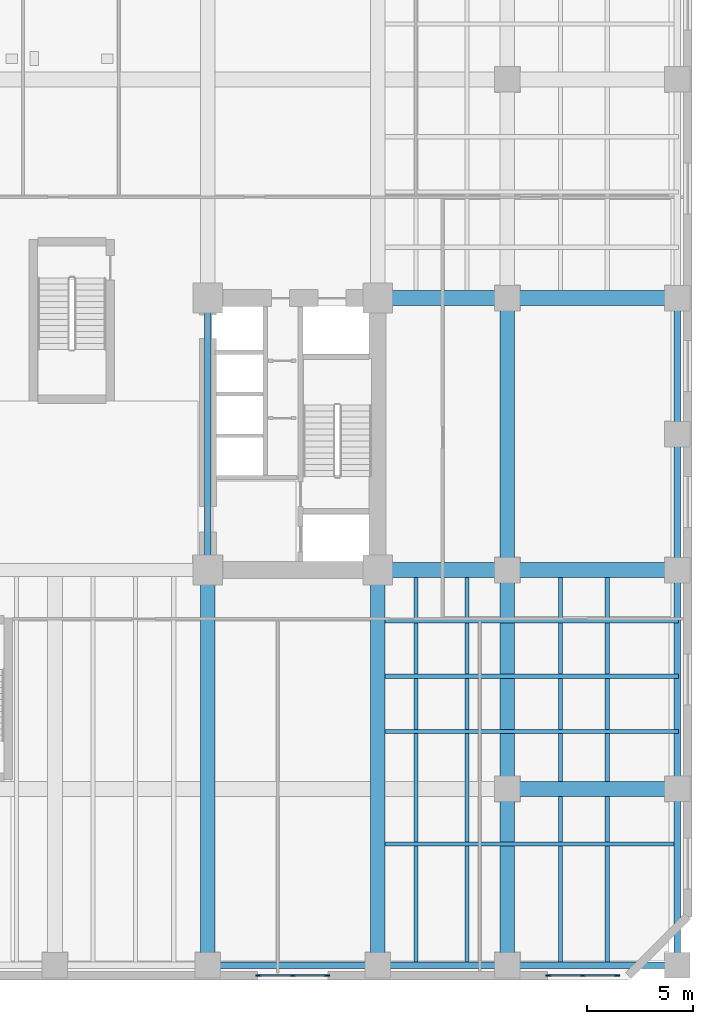
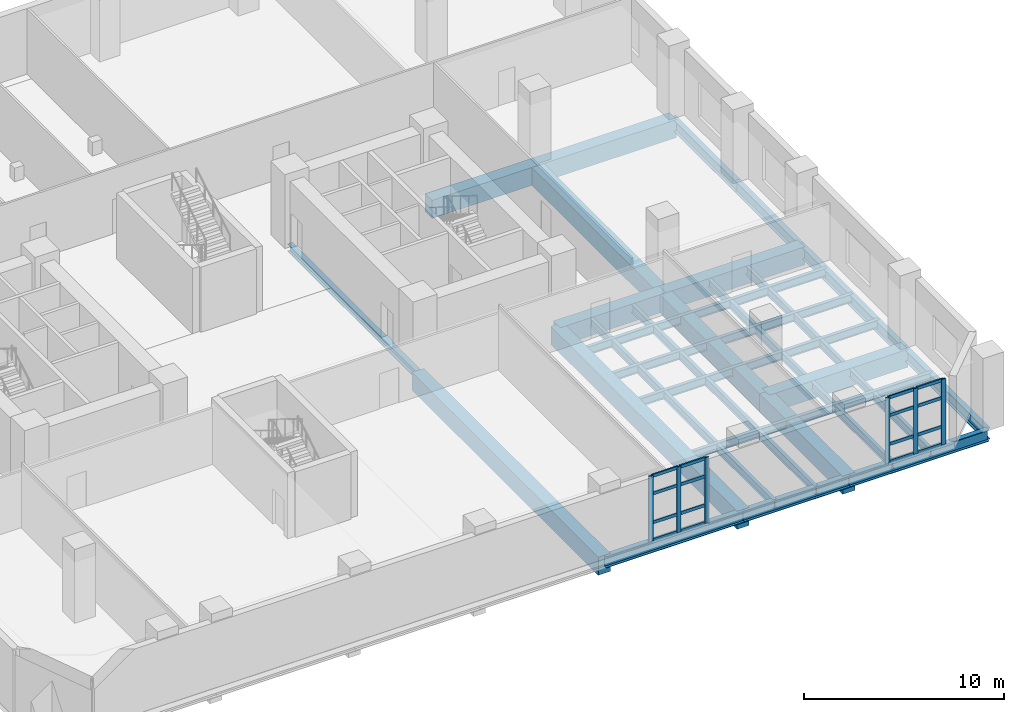
# One storey, part 2 of 15: 26 beams, 22 members, 2 elements without a shape of their own.
"""IFC4 building model written with IfcOpenShell, lengths in metres."""

from ifc_helpers import new_model, si_unit, direction, frame, origin, origin_2d, place, context, subcontext, project, spatial, rectangle, i_section, extrude, material, layer, layer_set, material_profile, profile_set, type_object, element, aggregate, save


model = new_model("IFC4")

# Units and contexts
model_context = context("Model", 3, precision=1e-05, world=origin(), true_north=direction((0.0, 1.0)))
body_context = subcontext(model_context, "Body", "Model", "MODEL_VIEW")
ifc_project = project(units=[si_unit("LENGTHUNIT", "METRE"), si_unit("AREAUNIT", "SQUARE_METRE"), si_unit("VOLUMEUNIT", "CUBIC_METRE"), si_unit("PLANEANGLEUNIT", "RADIAN"), si_unit("MASSUNIT", "GRAM", prefix="KILO")], contexts=[model_context])

# Site, building, storey
site_placement = place(None, origin())
site = spatial("IfcSite", under=ifc_project, at=site_placement, CompositionType="ELEMENT")
building_placement = place(site_placement, origin())
building = spatial("IfcBuilding", under=site, at=building_placement, Name="Kranthara Brick Stack", CompositionType="ELEMENT")
storey_placement = place(building_placement, frame((0.0, 0.0, 14.39990234375)))
storey = spatial("IfcBuildingStorey", under=building, at=storey_placement, Name="L03", CompositionType="ELEMENT", Elevation=14.39990234375)

# Beams
ifc_material_1 = material(Name="Steel S355", Category="steel")
ifc_material_profile_1 = material_profile(ifc_material_1, i_section(OverallWidth=0.199951171875, OverallDepth=0.5, WebThickness=0.01025390625, FlangeThickness=0.01611328125, at=origin_2d()), Name="IPE 500")
ifc_profile_set_1 = profile_set([ifc_material_profile_1], Name="Steel S355")
beam_type_1 = type_object("IfcBeamType", Name="BM-JST-IPE500", PredefinedType="JOIST", material=ifc_profile_set_1)
for number, where, z_axis, x_axis, name in (
    (1, (45.0, 2.14990234375, -0.56982421875), (0.0, 1.0, 0.0), (-1.0, 0.0, 0.0), "L03 South Wing Floor Joist 075"),
    (2, (47.39990234375, 2.14990234375, -0.56982421875), (0.0, 1.0, 0.0), (-1.0, 0.0, 0.0), "L03 South Wing Floor Joist 077"),
    (3, (51.800048828125, 2.14990234375, -0.56982421875), (0.0, 1.0, 0.0), (-1.0, 0.0, 0.0), "L03 South Wing Floor Joist 079"),
    (4, (54.0, 2.14990234375, -0.56982421875), (0.0, 1.0, 0.0), (-1.0, 0.0, 0.0), "L03 South Wing Floor Joist 081"),
):
    element("IfcBeam", number, at=place(storey_placement, frame(where, z_axis=z_axis, x_axis=x_axis)), inside=storey, type_object=beam_type_1, Name=name, PredefinedType="JOIST", context=body_context, shape_type="SweptSolid", body=[
        extrude(i_section(OverallWidth=0.199951171875, OverallDepth=0.5, WebThickness=0.01025390625, FlangeThickness=0.01611328125, at=origin_2d()), origin(), (0.0, 0.0, 1.0), 18.300048828125),
    ])
for number, where, z_axis, x_axis, name in (
    (5, (43.550048828125, 7.89990234375, -0.56982421875), (1.0, 0.0, 0.0), (0.0, 1.0, 0.0), "L03 East Wing Floor Joist 084"),
    (6, (43.550048828125, 13.199951171875, -0.56982421875), (1.0, 0.0, 0.0), (0.0, 1.0, 0.0), "L03 East Wing Floor Joist 086"),
    (7, (43.550048828125, 15.800048828125, -0.56982421875), (1.0, 0.0, 0.0), (0.0, 1.0, 0.0), "L03 East Wing Floor Joist 088"),
    (8, (43.550048828125, 18.39990234375, -0.56982421875), (1.0, 0.0, 0.0), (0.0, 1.0, 0.0), "L03 East Wing Floor Joist 090"),
):
    element("IfcBeam", number, at=place(storey_placement, frame(where, z_axis=z_axis, x_axis=x_axis)), inside=storey, type_object=beam_type_1, Name=name, PredefinedType="JOIST", context=body_context, shape_type="SweptSolid", body=[
        extrude(i_section(OverallWidth=0.199951171875, OverallDepth=0.5, WebThickness=0.01025390625, FlangeThickness=0.01611328125, at=origin_2d()), origin(), (0.0, 0.0, 1.0), 13.800048828125),
    ])
ifc_material_2 = material(Name="Post-tensioned concrete C45/55", Category="concrete")
ifc_material_profile_2 = material_profile(ifc_material_2, rectangle(XDim=0.699951171875, YDim=1.10009765625, at=origin_2d()), Name="PT 700x1100")
ifc_profile_set_2 = profile_set([ifc_material_profile_2], Name="Post-tensioned concrete C45/55")
beam_type_2 = type_object("IfcBeamType", Name="BM-POD-PT1100", PredefinedType="BEAM", material=ifc_profile_set_2)
for number, where, z_axis, x_axis, name in (
    (9, (35.199951171875, 2.199951171875, -0.869873046875), (0.0, 1.0, 0.0), (-1.0, 0.0, 0.0), "L03 Primary Grid Girder 042"),
    (10, (43.199951171875, 2.199951171875, -0.869873046875), (0.0, 1.0, 0.0), (-1.0, 0.0, 0.0), "L03 Primary Grid Girder 044"),
):
    element("IfcBeam", number, at=place(storey_placement, frame(where, z_axis=z_axis, x_axis=x_axis)), inside=storey, type_object=beam_type_2, Name=name, PredefinedType="BEAM", context=body_context, shape_type="SweptSolid", body=[
        extrude(rectangle(XDim=0.699951171875, YDim=1.10009765625, at=origin_2d()), origin(), (0.0, 0.0, 1.0), 18.60009765625),
    ])
beam_1_placement = place(storey_placement, frame((49.300048828125, 2.199951171875, -0.869873046875), z_axis=(0.0, 1.0, 0.0), x_axis=(-1.0, 0.0, 0.0)))
element("IfcBeam", 11, at=beam_1_placement, inside=storey, type_object=beam_type_2, Name="L03 Primary Grid Girder 046", PredefinedType="BEAM", context=body_context, shape_type="SweptSolid", body=[
    extrude(rectangle(XDim=0.699951171875, YDim=1.10009765625, at=origin_2d()), origin(), (0.0, 0.0, 1.0), 8.300048828125),
])
beam_2_placement = place(storey_placement, frame((49.300048828125, 10.5, -0.869873046875), z_axis=(0.0, 1.0, 0.0), x_axis=(-1.0, 0.0, 0.0)))
element("IfcBeam", 12, at=beam_2_placement, inside=storey, type_object=beam_type_2, Name="L03 Primary Grid Girder 047", PredefinedType="BEAM", context=body_context, shape_type="SweptSolid", body=[
    extrude(rectangle(XDim=0.699951171875, YDim=1.10009765625, at=origin_2d()), origin(), (0.0, 0.0, 1.0), 10.300048828125),
])
beam_3_placement = place(storey_placement, frame((49.300048828125, 20.800048828125, -0.869873046875), z_axis=(0.0, 1.0, 0.0), x_axis=(-1.0, 0.0, 0.0)))
element("IfcBeam", 13, at=beam_3_placement, inside=storey, type_object=beam_type_2, Name="L03 Primary Grid Girder 048", PredefinedType="BEAM", context=body_context, shape_type="SweptSolid", body=[
    extrude(rectangle(XDim=0.699951171875, YDim=1.10009765625, at=origin_2d()), origin(), (0.0, 0.0, 1.0), 12.800048828125),
])
beam_4_placement = place(storey_placement, frame((49.300048828125, 10.5, -0.869873046875), z_axis=(1.0, 0.0, 0.0), x_axis=(0.0, 1.0, 0.0)))
element("IfcBeam", 14, at=beam_4_placement, inside=storey, type_object=beam_type_2, Name="L03 Primary Grid Girder 053", PredefinedType="BEAM", context=body_context, shape_type="SweptSolid", body=[
    extrude(rectangle(XDim=0.699951171875, YDim=1.10009765625, at=origin_2d()), origin(), (0.0, 0.0, 1.0), 8.0),
])
beam_5_placement = place(storey_placement, frame((43.199951171875, 20.800048828125, -0.869873046875), z_axis=(1.0, 0.0, 0.0), x_axis=(0.0, 1.0, 0.0)))
element("IfcBeam", 15, at=beam_5_placement, inside=storey, type_object=beam_type_2, Name="L03 Primary Grid Girder 056", PredefinedType="BEAM", context=body_context, shape_type="SweptSolid", body=[
    extrude(rectangle(XDim=0.699951171875, YDim=1.10009765625, at=origin_2d()), origin(), (0.0, 0.0, 1.0), 6.10009765625),
])
beam_6_placement = place(storey_placement, frame((49.300048828125, 20.800048828125, -0.869873046875), z_axis=(1.0, 0.0, 0.0), x_axis=(0.0, 1.0, 0.0)))
element("IfcBeam", 16, at=beam_6_placement, inside=storey, type_object=beam_type_2, Name="L03 Primary Grid Girder 057", PredefinedType="BEAM", context=body_context, shape_type="SweptSolid", body=[
    extrude(rectangle(XDim=0.699951171875, YDim=1.10009765625, at=origin_2d()), origin(), (0.0, 0.0, 1.0), 8.0),
])
beam_7_placement = place(storey_placement, frame((43.199951171875, 33.60009765625, -0.869873046875), z_axis=(1.0, 0.0, 0.0), x_axis=(0.0, 1.0, 0.0)))
element("IfcBeam", 17, at=beam_7_placement, inside=storey, type_object=beam_type_2, Name="L03 Primary Grid Girder 060", PredefinedType="BEAM", context=body_context, shape_type="SweptSolid", body=[
    extrude(rectangle(XDim=0.699951171875, YDim=1.10009765625, at=origin_2d()), origin(), (0.0, 0.0, 1.0), 6.10009765625),
])
beam_8_placement = place(storey_placement, frame((49.300048828125, 33.60009765625, -0.869873046875), z_axis=(1.0, 0.0, 0.0), x_axis=(0.0, 1.0, 0.0)))
element("IfcBeam", 18, at=beam_8_placement, inside=storey, type_object=beam_type_2, Name="L03 Primary Grid Girder 061", PredefinedType="BEAM", context=body_context, shape_type="SweptSolid", body=[
    extrude(rectangle(XDim=0.699951171875, YDim=1.10009765625, at=origin_2d()), origin(), (0.0, 0.0, 1.0), 8.0),
])
ifc_material_3 = material(Name="Steel S355", Category="steel")
ifc_material_profile_3 = material_profile(ifc_material_3, i_section(OverallWidth=0.300048828125, OverallDepth=0.449951171875, WebThickness=0.013916015625, FlangeThickness=0.02587890625, at=origin_2d()), Name="HEB 450")
ifc_profile_set_3 = profile_set([ifc_material_profile_3], Name="Steel S355")
beam_type_3 = type_object("IfcBeamType", Name="BM-STL-HEB450", PredefinedType="SPANDREL", material=ifc_profile_set_3)
beam_9_placement = place(storey_placement, frame((35.199951171875, 20.800048828125, -0.544921875), z_axis=(0.0, 1.0, 0.0), x_axis=(-1.0, 0.0, 0.0)))
element("IfcBeam", 19, at=beam_9_placement, inside=storey, type_object=beam_type_3, Name="L03 Core Edge Tie Beam 003", PredefinedType="SPANDREL", context=body_context, shape_type="SweptSolid", body=[
    extrude(i_section(OverallWidth=0.300048828125, OverallDepth=0.449951171875, WebThickness=0.013916015625, FlangeThickness=0.02587890625, at=origin_2d()), origin(), (0.0, 0.0, 1.0), 12.800048828125),
])
ifc_material_4 = material(Name="Steel S355", Category="steel")
ifc_material_profile_4 = material_profile(ifc_material_4, i_section(OverallWidth=0.300048828125, OverallDepth=0.699951171875, WebThickness=0.01708984375, FlangeThickness=0.031982421875, at=origin_2d()), Name="HEB 700")
ifc_profile_set_4 = profile_set([ifc_material_profile_4], Name="Steel S355")
beam_type_4 = type_object("IfcBeamType", Name="BM-STL-HEB700", PredefinedType="BEAM", material=ifc_profile_set_4)
beam_10_placement = place(storey_placement, frame((35.199951171875, 2.199951171875, -0.669921875), z_axis=(1.0, 0.0, 0.0), x_axis=(0.0, 1.0, 0.0)))
element("IfcBeam", 20, at=beam_10_placement, inside=storey, type_object=beam_type_4, Name="L03 Perimeter Spandrel Beam 009", PredefinedType="BEAM", context=body_context, shape_type="SweptSolid", body=[
    extrude(i_section(OverallWidth=0.300048828125, OverallDepth=0.699951171875, WebThickness=0.01708984375, FlangeThickness=0.031982421875, at=origin_2d()), origin(), (0.0, 0.0, 1.0), 8.0),
])
beam_11_placement = place(storey_placement, frame((43.199951171875, 2.199951171875, -0.669921875), z_axis=(1.0, 0.0, 0.0), x_axis=(0.0, 1.0, 0.0)))
element("IfcBeam", 21, at=beam_11_placement, inside=storey, type_object=beam_type_4, Name="L03 Perimeter Spandrel Beam 010", PredefinedType="BEAM", context=body_context, shape_type="SweptSolid", body=[
    extrude(i_section(OverallWidth=0.300048828125, OverallDepth=0.699951171875, WebThickness=0.01708984375, FlangeThickness=0.031982421875, at=origin_2d()), origin(), (0.0, 0.0, 1.0), 6.10009765625),
])
beam_12_placement = place(storey_placement, frame((49.300048828125, 2.199951171875, -0.669921875), z_axis=(1.0, 0.0, 0.0), x_axis=(0.0, 1.0, 0.0)))
element("IfcBeam", 22, at=beam_12_placement, inside=storey, type_object=beam_type_4, Name="L03 Perimeter Spandrel Beam 011", PredefinedType="BEAM", context=body_context, shape_type="SweptSolid", body=[
    extrude(i_section(OverallWidth=0.300048828125, OverallDepth=0.699951171875, WebThickness=0.01708984375, FlangeThickness=0.031982421875, at=origin_2d()), origin(), (0.0, 0.0, 1.0), 8.0),
])
beam_13_placement = place(storey_placement, frame((57.300048828125, 2.199951171875, -0.669921875), z_axis=(0.0, 1.0, 0.0), x_axis=(-1.0, 0.0, 0.0)))
element("IfcBeam", 23, at=beam_13_placement, inside=storey, type_object=beam_type_4, Name="L03 Perimeter Spandrel Beam 026", PredefinedType="BEAM", context=body_context, shape_type="SweptSolid", body=[
    extrude(i_section(OverallWidth=0.300048828125, OverallDepth=0.699951171875, WebThickness=0.01708984375, FlangeThickness=0.031982421875, at=origin_2d()), origin(), (0.0, 0.0, 1.0), 8.300048828125),
])
beam_14_placement = place(storey_placement, frame((57.300048828125, 10.5, -0.669921875), z_axis=(0.0, 1.0, 0.0), x_axis=(-1.0, 0.0, 0.0)))
element("IfcBeam", 24, at=beam_14_placement, inside=storey, type_object=beam_type_4, Name="L03 Perimeter Spandrel Beam 027", PredefinedType="BEAM", context=body_context, shape_type="SweptSolid", body=[
    extrude(i_section(OverallWidth=0.300048828125, OverallDepth=0.699951171875, WebThickness=0.01708984375, FlangeThickness=0.031982421875, at=origin_2d()), origin(), (0.0, 0.0, 1.0), 10.300048828125),
])
beam_15_placement = place(storey_placement, frame((57.300048828125, 20.800048828125, -0.669921875), z_axis=(0.0, 1.0, 0.0), x_axis=(-1.0, 0.0, 0.0)))
element("IfcBeam", 25, at=beam_15_placement, inside=storey, type_object=beam_type_4, Name="L03 Perimeter Spandrel Beam 028", PredefinedType="BEAM", context=body_context, shape_type="SweptSolid", body=[
    extrude(i_section(OverallWidth=0.300048828125, OverallDepth=0.699951171875, WebThickness=0.01708984375, FlangeThickness=0.031982421875, at=origin_2d()), origin(), (0.0, 0.0, 1.0), 6.39990234375),
])
beam_16_placement = place(storey_placement, frame((57.300048828125, 27.199951171875, -0.669921875), z_axis=(0.0, 1.0, 0.0), x_axis=(-1.0, 0.0, 0.0)))
element("IfcBeam", 26, at=beam_16_placement, inside=storey, type_object=beam_type_4, Name="L03 Perimeter Spandrel Beam 029", PredefinedType="BEAM", context=body_context, shape_type="SweptSolid", body=[
    extrude(i_section(OverallWidth=0.300048828125, OverallDepth=0.699951171875, WebThickness=0.01708984375, FlangeThickness=0.031982421875, at=origin_2d()), origin(), (0.0, 0.0, 1.0), 6.400146484375),
])

# Curtain wall, members
ifc_material_5 = material(Name="Bronze anodised aluminium and low-E glass", Category="aluminium")
ifc_layer = layer(ifc_material_5, 0.25)
ifc_layer_set = layer_set([ifc_layer], Name="Bronze anodised aluminium and low-E glass")
curtain_wall_type = type_object("IfcCurtainWallType", Name="CW-SYS1-CONCOURSE", PredefinedType="USERDEFINED", material=ifc_layer_set)
curtain_wall_1_placement = place(storey_placement, origin())
curtain_wall_1 = element("IfcCurtainWall", 27, at=curtain_wall_1_placement, inside=storey, type_object=curtain_wall_type, Name="L03 Curtain Wall CW1-L03-01", ObjectType="UNITISED CURTAIN WALL", PredefinedType="USERDEFINED")
ifc_material_6 = material(Name="Bronze anodised aluminium 6063-T6", Category="aluminium")
ifc_material_profile_5 = material_profile(ifc_material_6, rectangle(XDim=0.080078125, YDim=0.25, at=origin_2d()), Name="ALU MULLION 80x250")
ifc_profile_set_5 = profile_set([ifc_material_profile_5], Name="Bronze anodised aluminium 6063-T6")
member_type_1 = type_object("IfcMemberType", Name="CWM-80x250", PredefinedType="MULLION", material=ifc_profile_set_5)
member_1_placement = place(storey_placement, frame((54.4599609375, 1.7099609375, 0.0), z_axis=(0.0, 0.0, 1.0), x_axis=(0.0, -1.0, 0.0)))
member_1 = element("IfcMember", 28, at=member_1_placement, type_object=member_type_1, Name="CW mullion 1", PredefinedType="MULLION", context=body_context, shape_type="SweptSolid", body=[
    extrude(rectangle(XDim=0.080078125, YDim=0.25, at=origin_2d()), origin(), (0.0, 0.0, 1.0), 4.0),
])
member_2_placement = place(storey_placement, frame((52.85009765625, 1.7099609375, 0.0), z_axis=(0.0, 0.0, 1.0), x_axis=(0.0, -1.0, 0.0)))
member_2 = element("IfcMember", 29, at=member_2_placement, type_object=member_type_1, Name="CW mullion 2", PredefinedType="MULLION", context=body_context, shape_type="SweptSolid", body=[
    extrude(rectangle(XDim=0.080078125, YDim=0.25, at=origin_2d()), origin(), (0.0, 0.0, 1.0), 4.0),
])
member_3_placement = place(storey_placement, frame((51.239990234375, 1.7099609375, 0.0), z_axis=(0.0, 0.0, 1.0), x_axis=(0.0, -1.0, 0.0)))
member_3 = element("IfcMember", 30, at=member_3_placement, type_object=member_type_1, Name="CW mullion 3", PredefinedType="MULLION", context=body_context, shape_type="SweptSolid", body=[
    extrude(rectangle(XDim=0.080078125, YDim=0.25, at=origin_2d()), origin(), (0.0, 0.0, 1.0), 4.0),
])

curtain_wall_2_placement = place(storey_placement, origin())
curtain_wall_2 = element("IfcCurtainWall", 31, at=curtain_wall_2_placement, inside=storey, type_object=curtain_wall_type, Name="L03 Curtain Wall CW1-L03-02", ObjectType="UNITISED CURTAIN WALL", PredefinedType="USERDEFINED")
member_4_placement = place(storey_placement, frame((40.81005859375, 1.7099609375, 0.0), z_axis=(0.0, 0.0, 1.0), x_axis=(0.0, -1.0, 0.0)))
member_4 = element("IfcMember", 32, at=member_4_placement, type_object=member_type_1, Name="CW mullion 1", PredefinedType="MULLION", context=body_context, shape_type="SweptSolid", body=[
    extrude(rectangle(XDim=0.080078125, YDim=0.25, at=origin_2d()), origin(), (0.0, 0.0, 1.0), 4.0),
])
member_5_placement = place(storey_placement, frame((39.199951171875, 1.7099609375, 0.0), z_axis=(0.0, 0.0, 1.0), x_axis=(0.0, -1.0, 0.0)))
member_5 = element("IfcMember", 33, at=member_5_placement, type_object=member_type_1, Name="CW mullion 2", PredefinedType="MULLION", context=body_context, shape_type="SweptSolid", body=[
    extrude(rectangle(XDim=0.080078125, YDim=0.25, at=origin_2d()), origin(), (0.0, 0.0, 1.0), 4.0),
])
member_6_placement = place(storey_placement, frame((37.590087890625, 1.7099609375, 0.0), z_axis=(0.0, 0.0, 1.0), x_axis=(0.0, -1.0, 0.0)))
member_6 = element("IfcMember", 34, at=member_6_placement, type_object=member_type_1, Name="CW mullion 3", PredefinedType="MULLION", context=body_context, shape_type="SweptSolid", body=[
    extrude(rectangle(XDim=0.080078125, YDim=0.25, at=origin_2d()), origin(), (0.0, 0.0, 1.0), 4.0),
])

# Member
ifc_material_7 = material(Name="Bronze anodised aluminium 6063-T6", Category="aluminium")
ifc_material_profile_6 = material_profile(ifc_material_7, rectangle(XDim=0.080078125, YDim=0.18994140625, at=origin_2d()), Name="ALU TRANSOM 80x190")
ifc_profile_set_6 = profile_set([ifc_material_profile_6], Name="Bronze anodised aluminium 6063-T6")
member_type_2 = type_object("IfcMemberType", Name="CWT-80x190", PredefinedType="USERDEFINED", material=ifc_profile_set_6)
member_7_placement = place(storey_placement, frame((54.419921875, 1.7099609375, 0.0400390625), z_axis=(-1.0, 0.0, 0.0), x_axis=(0.0, -1.0, 0.0)))
member_7 = element("IfcMember", 35, at=member_7_placement, type_object=member_type_2, Name="CW transom 1.1", ObjectType="TRANSOM", PredefinedType="USERDEFINED", context=body_context, shape_type="SweptSolid", body=[
    extrude(rectangle(XDim=0.080078125, YDim=0.18994140625, at=origin_2d()), origin(), (0.0, 0.0, 1.0), 1.530029296875),
])

member_8_placement = place(storey_placement, frame((54.419921875, 1.7099609375, 1.1201171875), z_axis=(-1.0, 0.0, 0.0), x_axis=(0.0, -1.0, 0.0)))
member_8 = element("IfcMember", 36, at=member_8_placement, type_object=member_type_2, Name="CW transom 1.2", ObjectType="TRANSOM", PredefinedType="USERDEFINED", context=body_context, shape_type="SweptSolid", body=[
    extrude(rectangle(XDim=0.080078125, YDim=0.18994140625, at=origin_2d()), origin(), (0.0, 0.0, 1.0), 1.530029296875),
])

member_9_placement = place(storey_placement, frame((54.419921875, 1.7099609375, 2.880126953125), z_axis=(-1.0, 0.0, 0.0), x_axis=(0.0, -1.0, 0.0)))
member_9 = element("IfcMember", 37, at=member_9_placement, type_object=member_type_2, Name="CW transom 1.3", ObjectType="TRANSOM", PredefinedType="USERDEFINED", context=body_context, shape_type="SweptSolid", body=[
    extrude(rectangle(XDim=0.080078125, YDim=0.18994140625, at=origin_2d()), origin(), (0.0, 0.0, 1.0), 1.530029296875),
])

member_10_placement = place(storey_placement, frame((54.419921875, 1.7099609375, 3.960205078125), z_axis=(-1.0, 0.0, 0.0), x_axis=(0.0, -1.0, 0.0)))
member_10 = element("IfcMember", 38, at=member_10_placement, type_object=member_type_2, Name="CW transom 1.4", ObjectType="TRANSOM", PredefinedType="USERDEFINED", context=body_context, shape_type="SweptSolid", body=[
    extrude(rectangle(XDim=0.080078125, YDim=0.18994140625, at=origin_2d()), origin(), (0.0, 0.0, 1.0), 1.530029296875),
])

member_11_placement = place(storey_placement, frame((52.81005859375, 1.7099609375, 0.0400390625), z_axis=(-1.0, 0.0, 0.0), x_axis=(0.0, -1.0, 0.0)))
member_11 = element("IfcMember", 39, at=member_11_placement, type_object=member_type_2, Name="CW transom 2.1", ObjectType="TRANSOM", PredefinedType="USERDEFINED", context=body_context, shape_type="SweptSolid", body=[
    extrude(rectangle(XDim=0.080078125, YDim=0.18994140625, at=origin_2d()), origin(), (0.0, 0.0, 1.0), 1.530029296875),
])

member_12_placement = place(storey_placement, frame((52.81005859375, 1.7099609375, 1.1201171875), z_axis=(-1.0, 0.0, 0.0), x_axis=(0.0, -1.0, 0.0)))
member_12 = element("IfcMember", 40, at=member_12_placement, type_object=member_type_2, Name="CW transom 2.2", ObjectType="TRANSOM", PredefinedType="USERDEFINED", context=body_context, shape_type="SweptSolid", body=[
    extrude(rectangle(XDim=0.080078125, YDim=0.18994140625, at=origin_2d()), origin(), (0.0, 0.0, 1.0), 1.530029296875),
])

member_13_placement = place(storey_placement, frame((52.81005859375, 1.7099609375, 2.880126953125), z_axis=(-1.0, 0.0, 0.0), x_axis=(0.0, -1.0, 0.0)))
member_13 = element("IfcMember", 41, at=member_13_placement, type_object=member_type_2, Name="CW transom 2.3", ObjectType="TRANSOM", PredefinedType="USERDEFINED", context=body_context, shape_type="SweptSolid", body=[
    extrude(rectangle(XDim=0.080078125, YDim=0.18994140625, at=origin_2d()), origin(), (0.0, 0.0, 1.0), 1.530029296875),
])

member_14_placement = place(storey_placement, frame((52.81005859375, 1.7099609375, 3.960205078125), z_axis=(-1.0, 0.0, 0.0), x_axis=(0.0, -1.0, 0.0)))
member_14 = element("IfcMember", 42, at=member_14_placement, type_object=member_type_2, Name="CW transom 2.4", ObjectType="TRANSOM", PredefinedType="USERDEFINED", context=body_context, shape_type="SweptSolid", body=[
    extrude(rectangle(XDim=0.080078125, YDim=0.18994140625, at=origin_2d()), origin(), (0.0, 0.0, 1.0), 1.530029296875),
])

aggregate(curtain_wall_1, [member_1, member_2, member_3, member_7, member_8, member_9, member_10, member_11, member_12, member_13, member_14])

member_15_placement = place(storey_placement, frame((40.77001953125, 1.7099609375, 0.0400390625), z_axis=(-1.0, 0.0, 0.0), x_axis=(0.0, -1.0, 0.0)))
member_15 = element("IfcMember", 43, at=member_15_placement, type_object=member_type_2, Name="CW transom 1.1", ObjectType="TRANSOM", PredefinedType="USERDEFINED", context=body_context, shape_type="SweptSolid", body=[
    extrude(rectangle(XDim=0.080078125, YDim=0.18994140625, at=origin_2d()), origin(), (0.0, 0.0, 1.0), 1.530029296875),
])

member_16_placement = place(storey_placement, frame((40.77001953125, 1.7099609375, 1.1201171875), z_axis=(-1.0, 0.0, 0.0), x_axis=(0.0, -1.0, 0.0)))
member_16 = element("IfcMember", 44, at=member_16_placement, type_object=member_type_2, Name="CW transom 1.2", ObjectType="TRANSOM", PredefinedType="USERDEFINED", context=body_context, shape_type="SweptSolid", body=[
    extrude(rectangle(XDim=0.080078125, YDim=0.18994140625, at=origin_2d()), origin(), (0.0, 0.0, 1.0), 1.530029296875),
])

member_17_placement = place(storey_placement, frame((40.77001953125, 1.7099609375, 2.880126953125), z_axis=(-1.0, 0.0, 0.0), x_axis=(0.0, -1.0, 0.0)))
member_17 = element("IfcMember", 45, at=member_17_placement, type_object=member_type_2, Name="CW transom 1.3", ObjectType="TRANSOM", PredefinedType="USERDEFINED", context=body_context, shape_type="SweptSolid", body=[
    extrude(rectangle(XDim=0.080078125, YDim=0.18994140625, at=origin_2d()), origin(), (0.0, 0.0, 1.0), 1.530029296875),
])

member_18_placement = place(storey_placement, frame((40.77001953125, 1.7099609375, 3.960205078125), z_axis=(-1.0, 0.0, 0.0), x_axis=(0.0, -1.0, 0.0)))
member_18 = element("IfcMember", 46, at=member_18_placement, type_object=member_type_2, Name="CW transom 1.4", ObjectType="TRANSOM", PredefinedType="USERDEFINED", context=body_context, shape_type="SweptSolid", body=[
    extrude(rectangle(XDim=0.080078125, YDim=0.18994140625, at=origin_2d()), origin(), (0.0, 0.0, 1.0), 1.530029296875),
])

member_19_placement = place(storey_placement, frame((39.159912109375, 1.7099609375, 0.0400390625), z_axis=(-1.0, 0.0, 0.0), x_axis=(0.0, -1.0, 0.0)))
member_19 = element("IfcMember", 47, at=member_19_placement, type_object=member_type_2, Name="CW transom 2.1", ObjectType="TRANSOM", PredefinedType="USERDEFINED", context=body_context, shape_type="SweptSolid", body=[
    extrude(rectangle(XDim=0.080078125, YDim=0.18994140625, at=origin_2d()), origin(), (0.0, 0.0, 1.0), 1.530029296875),
])

member_20_placement = place(storey_placement, frame((39.159912109375, 1.7099609375, 1.1201171875), z_axis=(-1.0, 0.0, 0.0), x_axis=(0.0, -1.0, 0.0)))
member_20 = element("IfcMember", 48, at=member_20_placement, type_object=member_type_2, Name="CW transom 2.2", ObjectType="TRANSOM", PredefinedType="USERDEFINED", context=body_context, shape_type="SweptSolid", body=[
    extrude(rectangle(XDim=0.080078125, YDim=0.18994140625, at=origin_2d()), origin(), (0.0, 0.0, 1.0), 1.530029296875),
])

member_21_placement = place(storey_placement, frame((39.159912109375, 1.7099609375, 2.880126953125), z_axis=(-1.0, 0.0, 0.0), x_axis=(0.0, -1.0, 0.0)))
member_21 = element("IfcMember", 49, at=member_21_placement, type_object=member_type_2, Name="CW transom 2.3", ObjectType="TRANSOM", PredefinedType="USERDEFINED", context=body_context, shape_type="SweptSolid", body=[
    extrude(rectangle(XDim=0.080078125, YDim=0.18994140625, at=origin_2d()), origin(), (0.0, 0.0, 1.0), 1.530029296875),
])

member_22_placement = place(storey_placement, frame((39.159912109375, 1.7099609375, 3.960205078125), z_axis=(-1.0, 0.0, 0.0), x_axis=(0.0, -1.0, 0.0)))
member_22 = element("IfcMember", 50, at=member_22_placement, type_object=member_type_2, Name="CW transom 2.4", ObjectType="TRANSOM", PredefinedType="USERDEFINED", context=body_context, shape_type="SweptSolid", body=[
    extrude(rectangle(XDim=0.080078125, YDim=0.18994140625, at=origin_2d()), origin(), (0.0, 0.0, 1.0), 1.530029296875),
])

aggregate(curtain_wall_2, [member_4, member_5, member_6, member_15, member_16, member_17, member_18, member_19, member_20, member_21, member_22])

save(model, "model.ifc")
